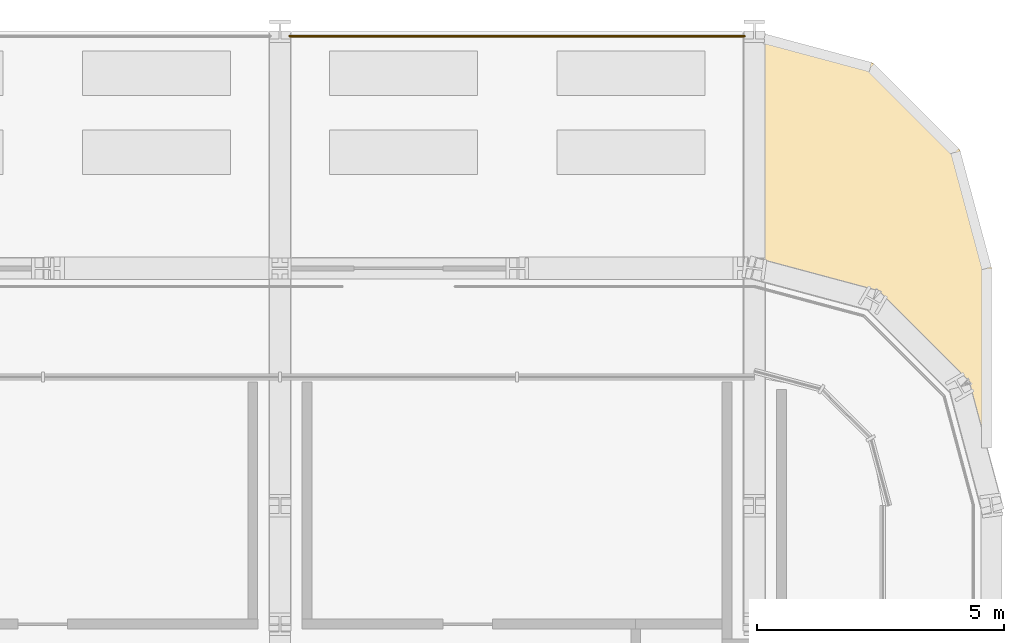
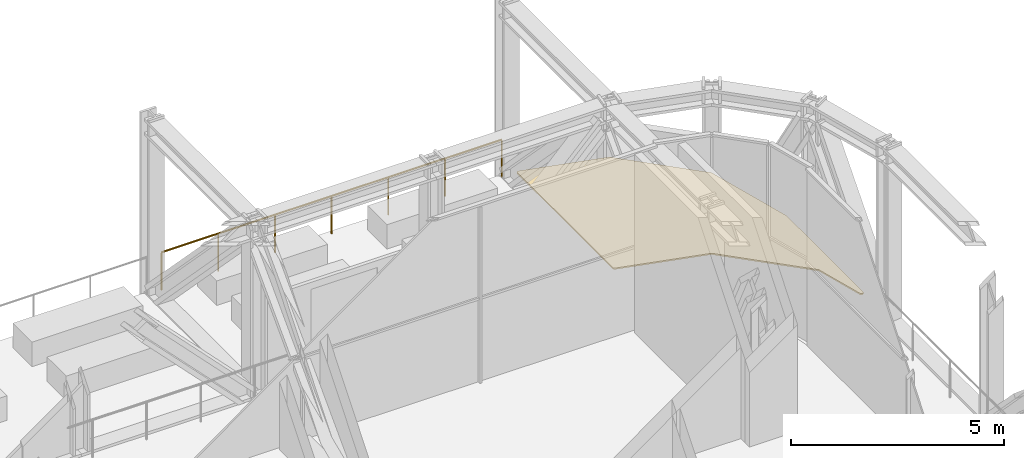
# One storey, part 26 of 27: 1 covering, 1 railing.
"""IFC4 building model written with IfcOpenShell, lengths in metres."""

from ifc_helpers import new_model, si_unit, direction, frame, origin, origin_2d, place, context, subcontext, project, spatial, polyline, circle, outline, extrude, material, layer, layer_set, type_object, element, save


model = new_model("IFC4")

# Units and contexts
model_context = context("Model", 3, precision=1e-05, world=origin(), true_north=direction((0.0, 1.0)))
body_context = subcontext(model_context, "Body", "Model", "MODEL_VIEW")
ifc_project = project(units=[si_unit("LENGTHUNIT", "METRE"), si_unit("AREAUNIT", "SQUARE_METRE"), si_unit("VOLUMEUNIT", "CUBIC_METRE"), si_unit("PLANEANGLEUNIT", "RADIAN"), si_unit("MASSUNIT", "GRAM", prefix="KILO")], contexts=[model_context])

# Site, building, storey
site_placement = place(None, origin())
site = spatial("IfcSite", under=ifc_project, at=site_placement, CompositionType="ELEMENT")
building_placement = place(site_placement, origin())
building = spatial("IfcBuilding", under=site, at=building_placement, Name="Madar Terraces", CompositionType="ELEMENT")
storey_placement = place(building_placement, frame((0.0, 0.0, 143.60009765625)))
storey = spatial("IfcBuildingStorey", under=building, at=storey_placement, Name="L37", CompositionType="ELEMENT", Elevation=143.60009765625)

# Railing
ifc_material_1 = material(Name="Glass, safety glazing, with stainless steel posts", Category="steel")
railing_type = type_object("IfcRailingType", Name="Balcony glass guard 1100", PredefinedType="GUARDRAIL", material=ifc_material_1)
railing_placement = place(storey_placement, frame((52.60400390625, 52.699951171875, 0.039794921875)))
element("IfcRailing", 1, at=railing_placement, inside=storey, type_object=railing_type, Name="Terrace guard", PredefinedType="GUARDRAIL", context=body_context, shape_type="SweptSolid", body=[
    extrude(circle(Radius=0.02392578125, at=origin_2d()), frame((0.0, 0.0, 1.076171875), z_axis=(-1.0, 0.0, 0.0), x_axis=(0.0, -1.0, 0.0)), (0.0, 0.0, 1.0), 9.2080078125),
    extrude(circle(Radius=0.02099609375, at=origin_2d()), origin(), (0.0, 0.0, 1.0), 1.052001953125),
    extrude(circle(Radius=0.02099609375, at=origin_2d()), frame((-1.53466796875, 0.0, 0.0)), (0.0, 0.0, 1.0), 1.052001953125),
    extrude(circle(Radius=0.02099609375, at=origin_2d()), frame((-3.0693359375, 0.0, 0.0)), (0.0, 0.0, 1.0), 1.052001953125),
    extrude(circle(Radius=0.02099609375, at=origin_2d()), frame((-4.60400390625, 0.0, 0.0)), (0.0, 0.0, 1.0), 1.052001953125),
    extrude(circle(Radius=0.02099609375, at=origin_2d()), frame((-6.138671875, 0.0, 0.0)), (0.0, 0.0, 1.0), 1.052001953125),
    extrude(circle(Radius=0.02099609375, at=origin_2d()), frame((-7.67333984375, 0.0, 0.0)), (0.0, 0.0, 1.0), 1.052001953125),
    extrude(circle(Radius=0.02099609375, at=origin_2d()), frame((-9.2080078125, 0.0, 0.0)), (0.0, 0.0, 1.0), 1.052001953125),
])

# Covering
ifc_material_2 = material(Name="Porcelain paving slabs on pedestals")
ifc_layer = layer(ifc_material_2, 0.0400390625)
ifc_layer_set = layer_set([ifc_layer], Name="Terrace paving 40")
covering_type = type_object("IfcCoveringType", Name="Terrace paving 40", PredefinedType="FLOORING", material=ifc_layer_set)
covering_placement = place(storey_placement, origin())
element("IfcCovering", 2, at=covering_placement, inside=storey, type_object=covering_type, Name="Terrace paving", PredefinedType="FLOORING", context=body_context, shape_type="SweptSolid", body=[
    extrude(outline(polyline([(55.19677734375, 52.156494140625), (55.201416015625, 52.154052734375), (55.20556640625, 52.15087890625), (55.20947265625, 52.1474609375), (56.947509765625, 50.409423828125), (56.950927734375, 50.405517578125), (56.9541015625, 50.4013671875), (56.95654296875, 50.396728515625), (56.958740234375, 50.39208984375), (56.96044921875, 50.38720703125), (57.598388671875, 48.00634765625), (57.59912109375, 48.002197265625), (57.599853515625, 47.997802734375), (57.60009765625, 47.993408203125), (57.60009765625, 44.4140625), (57.599853515625, 44.408935546875), (57.59912109375, 44.404052734375), (57.597900390625, 44.3994140625), (57.59619140625, 44.39453125), (57.593994140625, 44.39013671875), (57.59130859375, 44.385986328125), (57.58837890625, 44.3818359375), (57.5849609375, 44.37841796875), (57.581298828125, 44.375), (57.577392578125, 44.3720703125), (57.572998046875, 44.36962890625), (57.568603515625, 44.367431640625), (57.563720703125, 44.365966796875), (57.55908203125, 44.36474609375), (57.55419921875, 44.364013671875), (57.549072265625, 44.364013671875), (57.544189453125, 44.3642578125), (57.539306640625, 44.364990234375), (57.534423828125, 44.366455078125), (57.52978515625, 44.3681640625), (57.525390625, 44.370361328125), (57.521240234375, 44.373046875), (57.517333984375, 44.376220703125), (57.513671875, 44.379638671875), (57.510498046875, 44.38330078125), (57.507568359375, 44.387451171875), (57.505126953125, 44.3916015625), (57.503173828125, 44.396240234375), (57.501708984375, 44.40087890625), (57.15087890625, 45.71044921875), (57.150390625, 45.711669921875), (57.149658203125, 45.712646484375), (55.312744140625, 47.549560546875), (55.311767578125, 47.55029296875), (55.310546875, 47.55078125), (53.052978515625, 48.15576171875), (53.048095703125, 48.1572265625), (53.043701171875, 48.1591796875), (53.039306640625, 48.161865234375), (53.03515625, 48.164794921875), (53.03125, 48.16796875), (53.02783203125, 48.171630859375), (53.02490234375, 48.175537109375), (53.022216796875, 48.179931640625), (53.02001953125, 48.184326171875), (53.018310546875, 48.189208984375), (53.016845703125, 48.194091796875), (53.01611328125, 48.198974609375), (53.015869140625, 48.2041015625), (53.015869140625, 52.677001953125), (53.01611328125, 52.681884765625), (53.016845703125, 52.6865234375), (53.01806640625, 52.69140625), (53.01953125, 52.69580078125), (53.021484375, 52.7001953125), (53.02392578125, 52.704345703125), (53.02685546875, 52.708251953125), (53.030029296875, 52.7119140625), (53.03369140625, 52.715087890625), (53.037353515625, 52.718017578125), (53.04150390625, 52.720703125), (53.0458984375, 52.722900390625), (53.05029296875, 52.724609375), (53.054931640625, 52.725830078125), (53.059814453125, 52.7265625), (53.064453125, 52.72705078125), (53.0693359375, 52.726806640625), (53.07421875, 52.726318359375), (53.078857421875, 52.725341796875), (55.18701171875, 52.160400390625), (55.19189453125, 52.15869140625), (55.19677734375, 52.156494140625)])), origin(), (0.0, 0.0, 1.0), 0.039794921875),
])

save(model, "model.ifc")
